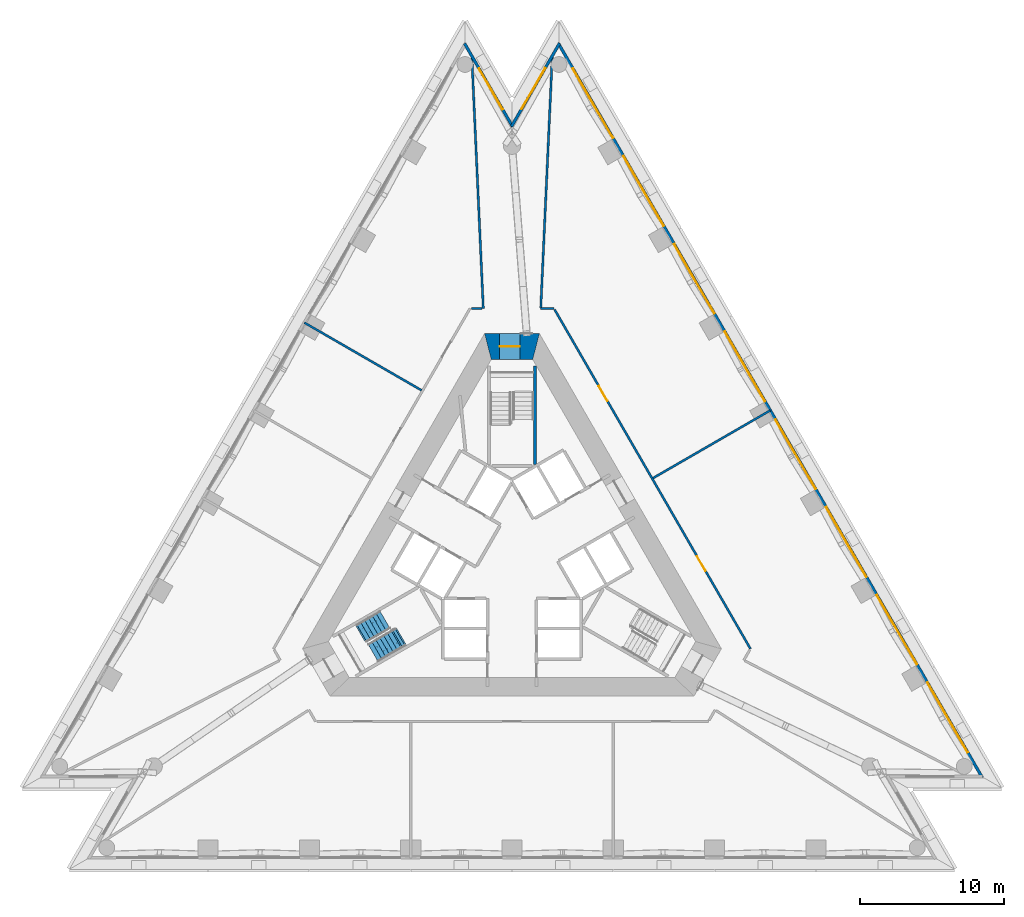
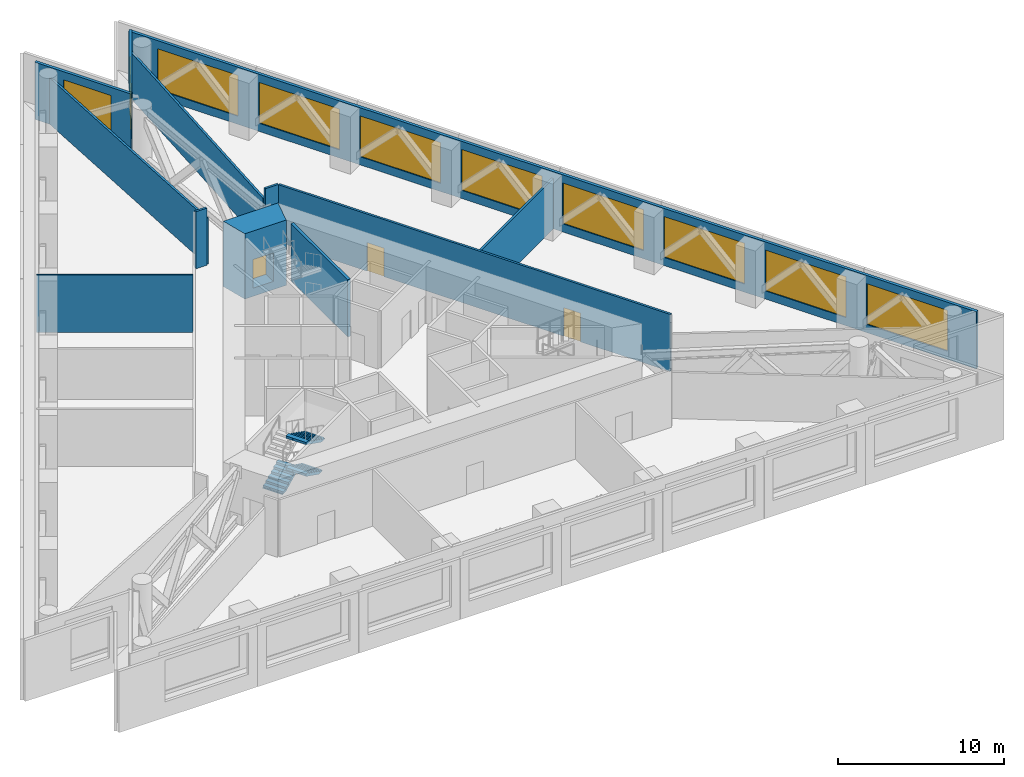
# One storey, part 9 of 12: 12 walls, 10 windows, 3 doors, 3 stair flights, 13 openings, 1 element without a shape of its own.
"""IFC4 building model written with IfcOpenShell, lengths in metres."""

from ifc_helpers import new_model, si_unit, direction, frame, frame_2d, origin, place, context, subcontext, project, spatial, polyline, rectangle, outline, extrude, material, layer, layer_set, layer_usage, type_object, element, fill, aggregate, save


model = new_model("IFC4")

# Units and contexts
model_context = context("Model", 3, precision=1e-05, world=origin(), true_north=direction((0.0, 1.0)))
body_context = subcontext(model_context, "Body", "Model", "MODEL_VIEW")
ifc_project = project(units=[si_unit("LENGTHUNIT", "METRE"), si_unit("AREAUNIT", "SQUARE_METRE"), si_unit("VOLUMEUNIT", "CUBIC_METRE"), si_unit("PLANEANGLEUNIT", "RADIAN"), si_unit("MASSUNIT", "GRAM", prefix="KILO")], contexts=[model_context])

# Site, building, storey
site_placement = place(None, origin())
site = spatial("IfcSite", under=ifc_project, at=site_placement, CompositionType="ELEMENT")
building_placement = place(site_placement, origin())
building = spatial("IfcBuilding", under=site, at=building_placement, Name="Triada Interchange Tower", CompositionType="ELEMENT")
storey_placement = place(building_placement, frame((0.0, 0.0, 99.800048828125)))
storey = spatial("IfcBuildingStorey", under=building, at=storey_placement, Name="L22", CompositionType="ELEMENT", Elevation=99.800048828125)

# Wall
ifc_material_1 = material(Name="Concrete C30/37", Category="concrete")
ifc_layer_1 = layer(ifc_material_1, 0.199951171875)
ifc_layer_set_1 = layer_set([ifc_layer_1], Name="CORE WALL 200 REI 240")
wall_type_1 = type_object("IfcWallType", Name="CORE WALL 200 REI 240", PredefinedType="SOLIDWALL", material=ifc_layer_set_1)
wall_1_placement = place(storey_placement, frame((1.60009765625, 6.614990234375, 0.0), z_axis=(0.0, 0.0, 1.0), x_axis=(0.0, 1.0, 0.0)))
element("IfcWall", 1, at=wall_1_placement, inside=storey, type_object=wall_type_1, Name="Wall L22 63", PredefinedType="SOLIDWALL", context=body_context, shape_type="SweptSolid", body=[
    extrude(rectangle(XDim=6.840087890625, YDim=0.199951171875, at=frame_2d((3.419921875, 0.0))), origin(), (0.0, 0.0, 1.0), 4.199951171875),
])

# Wall, opening, door
ifc_material_2 = material(Name="Concrete C70/85", Category="concrete")
ifc_layer_2 = layer(ifc_material_2, 1.800048828125)
ifc_layer_set_2 = layer_set([ifc_layer_2], Name="Core wall A 1800")
wall_type_2 = type_object("IfcWallType", Name="Core wall A 1800", PredefinedType="SHEAR", material=ifc_layer_set_2)
wall_2_placement = place(storey_placement, frame((1.674072265625, 14.800048828125, -0.60009765625), z_axis=(0.0, 0.0, 1.0), x_axis=(-1.0, 0.0, 0.0)))
wall_2 = element("IfcWall", 2, at=wall_2_placement, inside=storey, type_object=wall_type_2, Name="Core wall WA07 L22", PredefinedType="SHEAR", context=body_context, shape_type="SweptSolid", body=[
    extrude(outline(polyline([(-0.23095703125, -0.89990234375), (1.674072265625, -0.89990234375), (3.5791015625, -0.89990234375), (3.116943359375, 0.89990234375), (1.673828125, 0.89990234375), (0.23095703125, 0.89990234375), (-0.23095703125, -0.89990234375)])), origin(), (0.0, 0.0, 1.0), 4.800048828125),
])
opening_1_placement = place(wall_2_placement, frame((1.133056640625, 0.0, 0.60009765625)))
opening_1 = element("IfcOpeningElement", 3, at=opening_1_placement, cuts=wall_2, Name="Opening D22-21", PredefinedType="OPENING", context=body_context, shape_type="SweptSolid", body=[
    extrude(rectangle(XDim=1.39990234375, YDim=2.10009765625, at=frame_2d((0.699951171875, 1.050048828125))), frame((0.0, 0.909912109375, 0.0), z_axis=(0.0, -1.0, 0.0), x_axis=(1.0, 0.0, 0.0)), (0.0, 0.0, 1.0), 1.820068359375),
])
ifc_material_3 = material(Name="Steel S235 door leaf", Category="steel")
door_type_1 = type_object("IfcDoorType", Name="STAIR DOOR 1400 EI2 90-C5S200", OperationType="DOUBLE_DOOR_SINGLE_SWING", PredefinedType="DOOR", material=ifc_material_3)
door_1_placement = place(opening_1_placement, origin())
door_1 = element("IfcDoor", 4, at=door_1_placement, inside=storey, type_object=door_type_1, Name="Door D22-21 L22", OperationType="DOUBLE_DOOR_SINGLE_SWING", OverallHeight=2.10009765625, OverallWidth=1.39990234375, PredefinedType="DOOR", context=body_context, shape_type="SweptSolid", body=[
    extrude(rectangle(XDim=1.39990234375, YDim=2.10009765625, at=frame_2d((0.699951171875, 1.050048828125))), frame((0.0, 0.02490234375, 0.0), z_axis=(0.0, -1.0, 0.0), x_axis=(1.0, 0.0, 0.0)), (0.0, 0.0, 1.0), 0.050048828125),
])
fill(opening_1, door_1)

# Wall, openings, windows
ifc_material_4 = material(Name="Cement board")
ifc_layer_3 = layer(ifc_material_4, 0.02001953125, Name="Cement board cladding")
ifc_material_5 = material(Name="Sheathing board")
ifc_layer_4 = layer(ifc_material_5, 0.014892578125, Name="Sheathing board")
ifc_material_6 = material(Name="Mineral wool")
ifc_layer_5 = layer(ifc_material_6, 0.14990234375, Name="Mineral wool between steel studs")
ifc_material_7 = material(Name="Gypsum board")
ifc_layer_6 = layer(ifc_material_7, 0.014892578125, Name="Plasterboard lining")
ifc_layer_set_3 = layer_set([ifc_layer_3, ifc_layer_4, ifc_layer_5, ifc_layer_6], Name="External wall 200")
ifc_layer_usage = layer_usage(ifc_layer_set_3, "AXIS2", "POSITIVE", -0.10009765625)
wall_type_3 = type_object("IfcWallType", Name="External wall 200", PredefinedType="ELEMENTEDWALL", material=ifc_layer_set_3)
wall_3_placement = place(storey_placement, frame((32.68310546875, -15.155029296875, 0.0), z_axis=(0.0, 0.0, 1.0), x_axis=(-0.499995323711, 0.866028103624, 0.0)))
wall_3 = element("IfcWall", 5, at=wall_3_placement, inside=storey, type_object=wall_type_3, material=ifc_layer_usage, Name="External wall L22 NE", PredefinedType="ELEMENTEDWALL", context=body_context, shape_type="SweptSolid", body=[
    extrude(rectangle(XDim=58.91259765625, YDim=0.199951171875, at=frame_2d((29.456298828125, 0.0))), origin(), (0.0, 0.0, 1.0), 4.199951171875),
])
opening_2_placement = place(wall_3_placement, frame((2.02294921875, 0.0, 0.60009765625)))
opening_2 = element("IfcOpeningElement", 6, at=opening_2_placement, cuts=wall_3, Name="Opening LA21", PredefinedType="OPENING", context=body_context, shape_type="SweptSolid", body=[
    extrude(rectangle(XDim=5.60009765625, YDim=3.0, at=frame_2d((2.800048828125, 1.5))), frame((0.0, 0.10986328125, 0.0), z_axis=(0.0, -1.0, 0.0), x_axis=(1.0, 0.0, 0.0)), (0.0, 0.0, 1.0), 0.219970703125),
])
opening_3_placement = place(wall_3_placement, frame((9.06396484375, 0.0, 0.60009765625)))
opening_3 = element("IfcOpeningElement", 7, at=opening_3_placement, cuts=wall_3, Name="Opening LA22", PredefinedType="OPENING", context=body_context, shape_type="SweptSolid", body=[
    extrude(rectangle(XDim=5.60009765625, YDim=3.0, at=frame_2d((2.800048828125, 1.5))), frame((0.0, 0.10986328125, 0.0), z_axis=(0.0, -1.0, 0.0), x_axis=(1.0, 0.0, 0.0)), (0.0, 0.0, 1.0), 0.219970703125),
])
opening_4_placement = place(wall_3_placement, frame((16.10498046875, 0.0, 0.60009765625)))
opening_4 = element("IfcOpeningElement", 8, at=opening_4_placement, cuts=wall_3, Name="Opening LA23", PredefinedType="OPENING", context=body_context, shape_type="SweptSolid", body=[
    extrude(rectangle(XDim=5.60009765625, YDim=3.0, at=frame_2d((2.800048828125, 1.5))), frame((0.0, 0.10986328125, 0.0), z_axis=(0.0, -1.0, 0.0), x_axis=(1.0, 0.0, 0.0)), (0.0, 0.0, 1.0), 0.219970703125),
])
opening_5_placement = place(wall_3_placement, frame((23.14599609375, 0.0, 0.60009765625)))
opening_5 = element("IfcOpeningElement", 9, at=opening_5_placement, cuts=wall_3, Name="Opening LA24", PredefinedType="OPENING", context=body_context, shape_type="SweptSolid", body=[
    extrude(rectangle(XDim=5.60009765625, YDim=3.0, at=frame_2d((2.800048828125, 1.5))), frame((0.0, 0.10986328125, 0.0), z_axis=(0.0, -1.0, 0.0), x_axis=(1.0, 0.0, 0.0)), (0.0, 0.0, 1.0), 0.219970703125),
])
opening_6_placement = place(wall_3_placement, frame((30.18701171875, 0.0, 0.60009765625)))
opening_6 = element("IfcOpeningElement", 10, at=opening_6_placement, cuts=wall_3, Name="Opening LA25", PredefinedType="OPENING", context=body_context, shape_type="SweptSolid", body=[
    extrude(rectangle(XDim=5.60009765625, YDim=3.0, at=frame_2d((2.800048828125, 1.5))), frame((0.0, 0.10986328125, 0.0), z_axis=(0.0, -1.0, 0.0), x_axis=(1.0, 0.0, 0.0)), (0.0, 0.0, 1.0), 0.219970703125),
])
opening_7_placement = place(wall_3_placement, frame((37.22802734375, 0.0, 0.60009765625)))
opening_7 = element("IfcOpeningElement", 11, at=opening_7_placement, cuts=wall_3, Name="Opening LA26", PredefinedType="OPENING", context=body_context, shape_type="SweptSolid", body=[
    extrude(rectangle(XDim=5.60009765625, YDim=3.0, at=frame_2d((2.800048828125, 1.5))), frame((0.0, 0.10986328125, 0.0), z_axis=(0.0, -1.0, 0.0), x_axis=(1.0, 0.0, 0.0)), (0.0, 0.0, 1.0), 0.219970703125),
])
opening_8_placement = place(wall_3_placement, frame((44.26806640625, 0.0, 0.60009765625)))
opening_8 = element("IfcOpeningElement", 12, at=opening_8_placement, cuts=wall_3, Name="Opening LA27", PredefinedType="OPENING", context=body_context, shape_type="SweptSolid", body=[
    extrude(rectangle(XDim=5.60009765625, YDim=3.0, at=frame_2d((2.800048828125, 1.5))), frame((0.0, 0.10986328125, 0.0), z_axis=(0.0, -1.0, 0.0), x_axis=(1.0, 0.0, 0.0)), (0.0, 0.0, 1.0), 0.219970703125),
])
opening_9_placement = place(wall_3_placement, frame((51.30908203125, 0.0, 0.60009765625)))
opening_9 = element("IfcOpeningElement", 13, at=opening_9_placement, cuts=wall_3, Name="Opening LA28", PredefinedType="OPENING", context=body_context, shape_type="SweptSolid", body=[
    extrude(rectangle(XDim=5.60009765625, YDim=3.0, at=frame_2d((2.800048828125, 1.5))), frame((0.0, 0.10986328125, 0.0), z_axis=(0.0, -1.0, 0.0), x_axis=(1.0, 0.0, 0.0)), (0.0, 0.0, 1.0), 0.219970703125),
])
ifc_material_8 = material(Name="Aluminium louvre", Category="aluminium")
window_type_1 = type_object("IfcWindowType", Name="Plant louvre A face", PartitioningType="SINGLE_PANEL", PredefinedType="WINDOW", material=ifc_material_8)
window_1_placement = place(opening_2_placement, origin())
window_1 = element("IfcWindow", 14, at=window_1_placement, inside=storey, type_object=window_type_1, Name="Louvre L22 NE 1", OverallHeight=3.0, OverallWidth=5.60009765625, PartitioningType="SINGLE_PANEL", PredefinedType="WINDOW", context=body_context, shape_type="SweptSolid", body=[
    extrude(rectangle(XDim=5.60009765625, YDim=3.0, at=frame_2d((2.800048828125, 1.5))), frame((0.0, 0.030029296875, 0.0), z_axis=(0.0, -1.0, 0.0), x_axis=(1.0, 0.0, 0.0)), (0.0, 0.0, 1.0), 0.06005859375),
])
fill(opening_2, window_1)
window_2_placement = place(opening_3_placement, origin())
window_2 = element("IfcWindow", 15, at=window_2_placement, inside=storey, type_object=window_type_1, Name="Louvre L22 NE 2", OverallHeight=3.0, OverallWidth=5.60009765625, PartitioningType="SINGLE_PANEL", PredefinedType="WINDOW", context=body_context, shape_type="SweptSolid", body=[
    extrude(rectangle(XDim=5.60009765625, YDim=3.0, at=frame_2d((2.800048828125, 1.5))), frame((0.0, 0.030029296875, 0.0), z_axis=(0.0, -1.0, 0.0), x_axis=(1.0, 0.0, 0.0)), (0.0, 0.0, 1.0), 0.06005859375),
])
fill(opening_3, window_2)
window_3_placement = place(opening_4_placement, origin())
window_3 = element("IfcWindow", 16, at=window_3_placement, inside=storey, type_object=window_type_1, Name="Louvre L22 NE 3", OverallHeight=3.0, OverallWidth=5.60009765625, PartitioningType="SINGLE_PANEL", PredefinedType="WINDOW", context=body_context, shape_type="SweptSolid", body=[
    extrude(rectangle(XDim=5.60009765625, YDim=3.0, at=frame_2d((2.800048828125, 1.5))), frame((0.0, 0.030029296875, 0.0), z_axis=(0.0, -1.0, 0.0), x_axis=(1.0, 0.0, 0.0)), (0.0, 0.0, 1.0), 0.06005859375),
])
fill(opening_4, window_3)
window_4_placement = place(opening_5_placement, origin())
window_4 = element("IfcWindow", 17, at=window_4_placement, inside=storey, type_object=window_type_1, Name="Louvre L22 NE 4", OverallHeight=3.0, OverallWidth=5.60009765625, PartitioningType="SINGLE_PANEL", PredefinedType="WINDOW", context=body_context, shape_type="SweptSolid", body=[
    extrude(rectangle(XDim=5.60009765625, YDim=3.0, at=frame_2d((2.800048828125, 1.5))), frame((0.0, 0.030029296875, 0.0), z_axis=(0.0, -1.0, 0.0), x_axis=(1.0, 0.0, 0.0)), (0.0, 0.0, 1.0), 0.06005859375),
])
fill(opening_5, window_4)
window_5_placement = place(opening_6_placement, origin())
window_5 = element("IfcWindow", 18, at=window_5_placement, inside=storey, type_object=window_type_1, Name="Louvre L22 NE 5", OverallHeight=3.0, OverallWidth=5.60009765625, PartitioningType="SINGLE_PANEL", PredefinedType="WINDOW", context=body_context, shape_type="SweptSolid", body=[
    extrude(rectangle(XDim=5.60009765625, YDim=3.0, at=frame_2d((2.800048828125, 1.5))), frame((0.0, 0.030029296875, 0.0), z_axis=(0.0, -1.0, 0.0), x_axis=(1.0, 0.0, 0.0)), (0.0, 0.0, 1.0), 0.06005859375),
])
fill(opening_6, window_5)
window_6_placement = place(opening_7_placement, origin())
window_6 = element("IfcWindow", 19, at=window_6_placement, inside=storey, type_object=window_type_1, Name="Louvre L22 NE 6", OverallHeight=3.0, OverallWidth=5.60009765625, PartitioningType="SINGLE_PANEL", PredefinedType="WINDOW", context=body_context, shape_type="SweptSolid", body=[
    extrude(rectangle(XDim=5.60009765625, YDim=3.0, at=frame_2d((2.800048828125, 1.5))), frame((0.0, 0.030029296875, 0.0), z_axis=(0.0, -1.0, 0.0), x_axis=(1.0, 0.0, 0.0)), (0.0, 0.0, 1.0), 0.06005859375),
])
fill(opening_7, window_6)
window_7_placement = place(opening_8_placement, origin())
window_7 = element("IfcWindow", 20, at=window_7_placement, inside=storey, type_object=window_type_1, Name="Louvre L22 NE 7", OverallHeight=3.0, OverallWidth=5.60009765625, PartitioningType="SINGLE_PANEL", PredefinedType="WINDOW", context=body_context, shape_type="SweptSolid", body=[
    extrude(rectangle(XDim=5.60009765625, YDim=3.0, at=frame_2d((2.800048828125, 1.5))), frame((0.0, 0.030029296875, 0.0), z_axis=(0.0, -1.0, 0.0), x_axis=(1.0, 0.0, 0.0)), (0.0, 0.0, 1.0), 0.06005859375),
])
fill(opening_8, window_7)
window_8_placement = place(opening_9_placement, origin())
window_8 = element("IfcWindow", 21, at=window_8_placement, inside=storey, type_object=window_type_1, Name="Louvre L22 NE 8", OverallHeight=3.0, OverallWidth=5.60009765625, PartitioningType="SINGLE_PANEL", PredefinedType="WINDOW", context=body_context, shape_type="SweptSolid", body=[
    extrude(rectangle(XDim=5.60009765625, YDim=3.0, at=frame_2d((2.800048828125, 1.5))), frame((0.0, 0.030029296875, 0.0), z_axis=(0.0, -1.0, 0.0), x_axis=(1.0, 0.0, 0.0)), (0.0, 0.0, 1.0), 0.06005859375),
])
fill(opening_9, window_8)

# Wall, opening, window
wall_4_placement = place(storey_placement, frame((3.306884765625, 35.882080078125, 0.0), z_axis=(0.0, 0.0, 1.0), x_axis=(-0.499878413085, -0.866095590643, 0.0)))
wall_4 = element("IfcWall", 22, at=wall_4_placement, inside=storey, type_object=wall_type_3, material=ifc_layer_usage, Name="External wall L22 N-1", PredefinedType="ELEMENTEDWALL", context=body_context, shape_type="SweptSolid", body=[
    extrude(rectangle(XDim=6.685302734375, YDim=0.199951171875, at=frame_2d((3.3427734375, 0.0))), origin(), (0.0, 0.0, 1.0), 4.199951171875),
])
opening_10_placement = place(wall_4_placement, frame((1.989990234375, 0.0, 0.60009765625)))
opening_10 = element("IfcOpeningElement", 23, at=opening_10_placement, cuts=wall_4, Name="Opening LA29", PredefinedType="OPENING", context=body_context, shape_type="SweptSolid", body=[
    extrude(rectangle(XDim=3.300048828125, YDim=3.0, at=frame_2d((1.64990234375, 1.5))), frame((0.0, 0.10986328125, 0.0), z_axis=(0.0, -1.0, 0.0), x_axis=(1.0, 0.0, 0.0)), (0.0, 0.0, 1.0), 0.219970703125),
])
window_type_2 = type_object("IfcWindowType", Name="Plant louvre A pocket", PartitioningType="SINGLE_PANEL", PredefinedType="WINDOW", material=ifc_material_8)
window_9_placement = place(opening_10_placement, origin())
window_9 = element("IfcWindow", 24, at=window_9_placement, inside=storey, type_object=window_type_2, Name="Louvre L22 N-1 1", OverallHeight=3.0, OverallWidth=3.300048828125, PartitioningType="SINGLE_PANEL", PredefinedType="WINDOW", context=body_context, shape_type="SweptSolid", body=[
    extrude(rectangle(XDim=3.300048828125, YDim=3.0, at=frame_2d((1.64990234375, 1.5))), frame((0.0, 0.030029296875, 0.0), z_axis=(0.0, -1.0, 0.0), x_axis=(1.0, 0.0, 0.0)), (0.0, 0.0, 1.0), 0.06005859375),
])
fill(opening_10, window_9)

wall_5_placement = place(storey_placement, frame((0.044921875, 30.074951171875, 0.0), z_axis=(0.0, 0.0, 1.0), x_axis=(-0.499905806372, 0.866079779671, 0.0)))
wall_5 = element("IfcWall", 25, at=wall_5_placement, inside=storey, type_object=wall_type_3, material=ifc_layer_usage, Name="External wall L22 N-2", PredefinedType="ELEMENTEDWALL", context=body_context, shape_type="SweptSolid", body=[
    extrude(rectangle(XDim=6.685302734375, YDim=0.199951171875, at=frame_2d((3.3427734375, 0.0))), origin(), (0.0, 0.0, 1.0), 4.199951171875),
])
opening_11_placement = place(wall_5_placement, frame((1.389892578125, 0.0, 0.60009765625)))
opening_11 = element("IfcOpeningElement", 26, at=opening_11_placement, cuts=wall_5, Name="Opening LA30", PredefinedType="OPENING", context=body_context, shape_type="SweptSolid", body=[
    extrude(rectangle(XDim=3.300048828125, YDim=3.0, at=frame_2d((1.64990234375, 1.5))), frame((0.0, 0.10986328125, 0.0), z_axis=(0.0, -1.0, 0.0), x_axis=(1.0, 0.0, 0.0)), (0.0, 0.0, 1.0), 0.219970703125),
])
window_10_placement = place(opening_11_placement, origin())
window_10 = element("IfcWindow", 27, at=window_10_placement, inside=storey, type_object=window_type_2, Name="Louvre L22 N-2 1", OverallHeight=3.0, OverallWidth=3.300048828125, PartitioningType="SINGLE_PANEL", PredefinedType="WINDOW", context=body_context, shape_type="SweptSolid", body=[
    extrude(rectangle(XDim=3.300048828125, YDim=3.0, at=frame_2d((1.64990234375, 1.5))), frame((0.0, 0.030029296875, 0.0), z_axis=(0.0, -1.0, 0.0), x_axis=(1.0, 0.0, 0.0)), (0.0, 0.0, 1.0), 0.06005859375),
])
fill(opening_11, window_10)

# Walls
ifc_material_9 = material(Name="Gypsum board partition")
ifc_layer_7 = layer(ifc_material_9, 0.14990234375)
ifc_layer_set_4 = layer_set([ifc_layer_7], Name="PARTITION 150 EI 180")
wall_type_4 = type_object("IfcWallType", Name="PARTITION 150 EI 180", PredefinedType="PARTITIONING", material=ifc_layer_set_4)
wall_6_placement = place(storey_placement, frame((-14.428955078125, 16.4609375, 0.0), z_axis=(0.0, 0.0, 1.0), x_axis=(0.866014767649, -0.500018421874, 0.0)))
element("IfcWall", 28, at=wall_6_placement, inside=storey, type_object=wall_type_4, Name="Wall L22 9", PredefinedType="PARTITIONING", context=body_context, shape_type="SweptSolid", body=[
    extrude(rectangle(XDim=9.401611328125, YDim=0.14990234375, at=frame_2d((4.70068359375, 0.0))), origin(), (0.0, 0.0, 1.0), 4.199951171875),
])
wall_7_placement = place(storey_placement, frame((-2.79296875, 34.991943359375, 0.0), z_axis=(0.0, 0.0, 1.0), x_axis=(0.045435409817, -0.998967278511, 0.0)))
element("IfcWall", 29, at=wall_7_placement, inside=storey, type_object=wall_type_4, Name="Wall L22 11", PredefinedType="PARTITIONING", context=body_context, shape_type="SweptSolid", body=[
    extrude(rectangle(XDim=17.56005859375, YDim=0.14990234375, at=frame_2d((8.780029296875, 0.0))), origin(), (0.0, 0.0, 1.0), 3.39990234375),
])
wall_8_placement = place(storey_placement, frame((-2.8291015625, 17.449951171875, 0.0), z_axis=(0.0, 0.0, 1.0), x_axis=(1.0, 0.0, 0.0)))
element("IfcWall", 30, at=wall_8_placement, inside=storey, type_object=wall_type_4, Name="Wall L22 12", PredefinedType="PARTITIONING", context=body_context, shape_type="SweptSolid", body=[
    extrude(rectangle(XDim=0.759033203125, YDim=0.14990234375, at=frame_2d((0.37939453125, 0.0))), origin(), (0.0, 0.0, 1.0), 4.199951171875),
])
wall_9_placement = place(storey_placement, frame((1.9970703125, 17.449951171875, 0.0), z_axis=(0.0, 0.0, 1.0), x_axis=(1.0, 0.0, 0.0)))
element("IfcWall", 31, at=wall_9_placement, inside=storey, type_object=wall_type_4, Name="Wall L22 13", PredefinedType="PARTITIONING", context=body_context, shape_type="SweptSolid", body=[
    extrude(rectangle(XDim=0.9189453125, YDim=0.14990234375, at=frame_2d((0.45947265625, 0.0))), origin(), (0.0, 0.0, 1.0), 4.199951171875),
])

# Wall, openings, doors
wall_10_placement = place(storey_placement, frame((2.958984375, 17.375, 0.0), z_axis=(0.0, 0.0, 1.0), x_axis=(0.500002192499, -0.866024137941, 0.0)))
wall_10 = element("IfcWall", 32, at=wall_10_placement, inside=storey, type_object=wall_type_4, Name="Wall L22 14", PredefinedType="PARTITIONING", context=body_context, shape_type="SweptSolid", body=[
    extrude(rectangle(XDim=27.22216796875, YDim=0.14990234375, at=frame_2d((13.611083984375, 0.0))), origin(), (0.0, 0.0, 1.0), 4.199951171875),
])
opening_12_placement = place(wall_10_placement, frame((19.794921875, 0.0, 0.0)))
opening_12 = element("IfcOpeningElement", 33, at=opening_12_placement, cuts=wall_10, Name="Opening D22-11", PredefinedType="OPENING", context=body_context, shape_type="SweptSolid", body=[
    extrude(rectangle(XDim=1.199951171875, YDim=2.10009765625, at=frame_2d((0.60009765625, 1.050048828125))), frame((0.0, 0.0849609375, 0.0), z_axis=(0.0, -1.0, 0.0), x_axis=(1.0, 0.0, 0.0)), (0.0, 0.0, 1.0), 0.169921875),
])
opening_13_placement = place(wall_10_placement, frame((6.14111328125, 0.0, 0.0)))
opening_13 = element("IfcOpeningElement", 34, at=opening_13_placement, cuts=wall_10, Name="Opening D22-12", PredefinedType="OPENING", context=body_context, shape_type="SweptSolid", body=[
    extrude(rectangle(XDim=1.199951171875, YDim=2.10009765625, at=frame_2d((0.60009765625, 1.050048828125))), frame((0.0, 0.0849609375, 0.0), z_axis=(0.0, -1.0, 0.0), x_axis=(1.0, 0.0, 0.0)), (0.0, 0.0, 1.0), 0.169921875),
])
door_type_2 = type_object("IfcDoorType", Name="DOUBLE ROOM DOOR 1200 EI2 45-C5S200", OperationType="DOUBLE_DOOR_SINGLE_SWING", PredefinedType="DOOR", material=ifc_material_3)
door_2_placement = place(opening_12_placement, origin())
door_2 = element("IfcDoor", 35, at=door_2_placement, inside=storey, type_object=door_type_2, Name="Door D22-11 L22", OperationType="DOUBLE_DOOR_SINGLE_SWING", OverallHeight=2.10009765625, OverallWidth=1.199951171875, PredefinedType="DOOR", context=body_context, shape_type="SweptSolid", body=[
    extrude(rectangle(XDim=1.199951171875, YDim=2.10009765625, at=frame_2d((0.60009765625, 1.050048828125))), frame((0.0, 0.02490234375, 0.0), z_axis=(0.0, -1.0, 0.0), x_axis=(1.0, 0.0, 0.0)), (0.0, 0.0, 1.0), 0.050048828125),
])
fill(opening_12, door_2)
door_3_placement = place(opening_13_placement, origin())
door_3 = element("IfcDoor", 36, at=door_3_placement, inside=storey, type_object=door_type_2, Name="Door D22-12 L22", OperationType="DOUBLE_DOOR_SINGLE_SWING", OverallHeight=2.10009765625, OverallWidth=1.199951171875, PredefinedType="DOOR", context=body_context, shape_type="SweptSolid", body=[
    extrude(rectangle(XDim=1.199951171875, YDim=2.10009765625, at=frame_2d((0.60009765625, 1.050048828125))), frame((0.0, 0.02490234375, 0.0), z_axis=(0.0, -1.0, 0.0), x_axis=(1.0, 0.0, 0.0)), (0.0, 0.0, 1.0), 0.050048828125),
])
fill(opening_13, door_3)

# Walls
wall_11_placement = place(storey_placement, frame((2.0009765625, 17.52490234375, 0.0), z_axis=(0.0, 0.0, 1.0), x_axis=(0.045670970039, 0.99895653684, 0.0)))
element("IfcWall", 37, at=wall_11_placement, inside=storey, type_object=wall_type_4, Name="Wall L22 15", PredefinedType="PARTITIONING", context=body_context, shape_type="SweptSolid", body=[
    extrude(rectangle(XDim=17.496337890625, YDim=0.14990234375, at=frame_2d((8.748046875, 0.0))), origin(), (0.0, 0.0, 1.0), 3.39990234375),
])
wall_12_placement = place(storey_placement, frame((9.80810546875, 5.662109375, 0.0), z_axis=(0.0, 0.0, 1.0), x_axis=(0.866014767649, 0.500018421874, 0.0)))
element("IfcWall", 38, at=wall_12_placement, inside=storey, type_object=wall_type_4, Name="Wall L22 20", PredefinedType="PARTITIONING", context=body_context, shape_type="SweptSolid", body=[
    extrude(rectangle(XDim=9.401611328125, YDim=0.14990234375, at=frame_2d((4.70068359375, 0.0))), origin(), (0.0, 0.0, 1.0), 3.699951171875),
])

# Stair, stair flights
ifc_material_10 = material(Name="Concrete C35/45", Category="concrete")
stair_type = type_object("IfcStairType", Name="HALF TURN STAIR 1400", PredefinedType="HALF_TURN_STAIR", material=ifc_material_10)
stair_placement = place(storey_placement, origin())
stair = element("IfcStair", 39, at=stair_placement, inside=storey, type_object=stair_type, Name="Exit stair S22-2", PredefinedType="HALF_TURN_STAIR")
stair_flight_type = type_object("IfcStairFlightType", Name="STRAIGHT STAIR FLIGHT 1400", PredefinedType="STRAIGHT", material=ifc_material_10)
stair_flight_1_placement = place(storey_placement, frame((-10.446044921875, -5.10693359375, 0.0), z_axis=(0.0, 0.0, 1.0), x_axis=(0.866025403784, 0.5, 0.0)))
stair_flight_1 = element("IfcStairFlight", 40, at=stair_flight_1_placement, type_object=stair_flight_type, Name="S22-2 flight 1", NumberOfRisers=7, NumberOfTreads=6, PredefinedType="STRAIGHT", RiserHeight=0.15517, TreadLength=0.31, context=body_context, shape_type="SweptSolid", body=[
    extrude(outline(polyline([(-0.10009765625, 0.0), (-0.10009765625, 0.02001953125), (0.0, 0.02001953125), (0.0, 0.1552734375), (0.31005859375, 0.1552734375), (0.31005859375, 0.310302734375), (0.6201171875, 0.310302734375), (0.6201171875, 0.465576171875), (0.929931640625, 0.465576171875), (0.929931640625, 0.62060546875), (1.239990234375, 0.62060546875), (1.239990234375, 0.77587890625), (1.550048828125, 0.77587890625), (1.550048828125, 0.930908203125), (1.860107421875, 0.930908203125), (1.864013671875, 0.930908203125), (1.864013671875, 1.086181640625), (1.864013671875, 0.763427734375), (0.3349609375, 0.0), (-0.10009765625, 0.0)])), frame((0.0, 0.699951171875, 0.0), z_axis=(0.0, -1.0, 0.0), x_axis=(1.0, 0.0, 0.0)), (0.0, 0.0, 1.0), 0.46533203125),
    extrude(outline(polyline([(-0.10009765625, 0.0), (-0.10009765625, 0.02001953125), (0.0, 0.02001953125), (0.0, 0.1552734375), (0.31005859375, 0.1552734375), (0.31005859375, 0.310302734375), (0.6201171875, 0.310302734375), (0.6201171875, 0.465576171875), (0.929931640625, 0.465576171875), (0.929931640625, 0.62060546875), (1.239990234375, 0.62060546875), (1.239990234375, 0.77587890625), (1.550048828125, 0.77587890625), (1.550048828125, 0.930908203125), (1.860107421875, 0.930908203125), (1.864013671875, 0.930908203125), (1.864013671875, 1.086181640625), (1.864013671875, 0.763427734375), (0.3349609375, 0.0), (-0.10009765625, 0.0)])), frame((0.0, 0.232666015625, 0.0), z_axis=(0.0, -1.0, 0.0), x_axis=(1.0, 0.0, 0.0)), (0.0, 0.0, 1.0), 0.46533203125),
    extrude(outline(polyline([(-0.10009765625, 0.0), (-0.10009765625, 0.02001953125), (0.0, 0.02001953125), (0.0, 0.1552734375), (0.31005859375, 0.1552734375), (0.31005859375, 0.310302734375), (0.6201171875, 0.310302734375), (0.6201171875, 0.465576171875), (0.929931640625, 0.465576171875), (0.929931640625, 0.62060546875), (1.239990234375, 0.62060546875), (1.239990234375, 0.77587890625), (1.550048828125, 0.77587890625), (1.550048828125, 0.930908203125), (1.860107421875, 0.930908203125), (1.864013671875, 0.930908203125), (1.864013671875, 1.086181640625), (1.864013671875, 0.763427734375), (0.3349609375, 0.0), (-0.10009765625, 0.0)])), frame((0.0, -0.234619140625, 0.0), z_axis=(0.0, -1.0, 0.0), x_axis=(1.0, 0.0, 0.0)), (0.0, 0.0, 1.0), 0.46533203125),
])
stair_flight_2_placement = place(storey_placement, frame((-8.034912109375, -5.56298828125, 1.086181640625), z_axis=(0.0, 0.0, 1.0), x_axis=(-0.866025403784, -0.5, 0.0)))
stair_flight_2 = element("IfcStairFlight", 41, at=stair_flight_2_placement, type_object=stair_flight_type, Name="S22-2 flight 2", NumberOfRisers=7, NumberOfTreads=6, PredefinedType="STRAIGHT", RiserHeight=0.15517, TreadLength=0.31, context=body_context, shape_type="SweptSolid", body=[
    extrude(outline(polyline([(-0.10009765625, 0.0), (-0.10009765625, 0.02001953125), (0.0, 0.02001953125), (0.0, 0.1552734375), (0.31005859375, 0.1552734375), (0.31005859375, 0.310302734375), (0.6201171875, 0.310302734375), (0.6201171875, 0.465576171875), (0.929931640625, 0.465576171875), (0.929931640625, 0.62060546875), (1.239990234375, 0.62060546875), (1.239990234375, 0.77587890625), (1.550048828125, 0.77587890625), (1.550048828125, 0.930908203125), (1.860107421875, 0.930908203125), (1.864013671875, 0.930908203125), (1.864013671875, 1.086181640625), (1.864013671875, 0.763427734375), (0.3349609375, 0.0), (-0.10009765625, 0.0)])), frame((0.0, 0.699951171875, 0.0), z_axis=(0.0, -1.0, 0.0), x_axis=(1.0, 0.0, 0.0)), (0.0, 0.0, 1.0), 0.46533203125),
    extrude(outline(polyline([(-0.10009765625, 0.0), (-0.10009765625, 0.02001953125), (0.0, 0.02001953125), (0.0, 0.1552734375), (0.31005859375, 0.1552734375), (0.31005859375, 0.310302734375), (0.6201171875, 0.310302734375), (0.6201171875, 0.465576171875), (0.929931640625, 0.465576171875), (0.929931640625, 0.62060546875), (1.239990234375, 0.62060546875), (1.239990234375, 0.77587890625), (1.550048828125, 0.77587890625), (1.550048828125, 0.930908203125), (1.860107421875, 0.930908203125), (1.864013671875, 0.930908203125), (1.864013671875, 1.086181640625), (1.864013671875, 0.763427734375), (0.3349609375, 0.0), (-0.10009765625, 0.0)])), frame((0.0, 0.232666015625, 0.0), z_axis=(0.0, -1.0, 0.0), x_axis=(1.0, 0.0, 0.0)), (0.0, 0.0, 1.0), 0.46533203125),
    extrude(outline(polyline([(-0.10009765625, 0.0), (-0.10009765625, 0.02001953125), (0.0, 0.02001953125), (0.0, 0.1552734375), (0.31005859375, 0.1552734375), (0.31005859375, 0.310302734375), (0.6201171875, 0.310302734375), (0.6201171875, 0.465576171875), (0.929931640625, 0.465576171875), (0.929931640625, 0.62060546875), (1.239990234375, 0.62060546875), (1.239990234375, 0.77587890625), (1.550048828125, 0.77587890625), (1.550048828125, 0.930908203125), (1.860107421875, 0.930908203125), (1.864013671875, 0.930908203125), (1.864013671875, 1.086181640625), (1.864013671875, 0.763427734375), (0.3349609375, 0.0), (-0.10009765625, 0.0)])), frame((0.0, -0.234619140625, 0.0), z_axis=(0.0, -1.0, 0.0), x_axis=(1.0, 0.0, 0.0)), (0.0, 0.0, 1.0), 0.46533203125),
])
stair_flight_3_placement = place(storey_placement, frame((-7.76708984375, -5.407958984375, 3.258544921875), z_axis=(0.0, 0.0, 1.0), x_axis=(-0.866025403784, -0.5, 0.0)))
stair_flight_3 = element("IfcStairFlight", 42, at=stair_flight_3_placement, type_object=stair_flight_type, Name="S22-2 flight 4", NumberOfRisers=8, NumberOfTreads=7, PredefinedType="STRAIGHT", RiserHeight=0.15517, TreadLength=0.31, context=body_context, shape_type="SweptSolid", body=[
    extrude(outline(polyline([(-0.10009765625, 0.0), (-0.10009765625, 0.02001953125), (0.0, 0.02001953125), (0.0, 0.1552734375), (0.31005859375, 0.1552734375), (0.31005859375, 0.310302734375), (0.6201171875, 0.310302734375), (0.6201171875, 0.465576171875), (0.929931640625, 0.465576171875), (0.929931640625, 0.62060546875), (1.239990234375, 0.62060546875), (1.239990234375, 0.77587890625), (1.550048828125, 0.77587890625), (1.550048828125, 0.930908203125), (1.860107421875, 0.930908203125), (1.860107421875, 1.086181640625), (2.169921875, 1.086181640625), (2.174072265625, 1.086181640625), (2.174072265625, 1.241455078125), (2.174072265625, 0.91845703125), (0.3349609375, 0.0), (-0.10009765625, 0.0)])), frame((0.0, 0.699951171875, 0.0), z_axis=(0.0, -1.0, 0.0), x_axis=(1.0, 0.0, 0.0)), (0.0, 0.0, 1.0), 0.46533203125),
    extrude(outline(polyline([(-0.10009765625, 0.0), (-0.10009765625, 0.02001953125), (0.0, 0.02001953125), (0.0, 0.1552734375), (0.31005859375, 0.1552734375), (0.31005859375, 0.310302734375), (0.6201171875, 0.310302734375), (0.6201171875, 0.465576171875), (0.929931640625, 0.465576171875), (0.929931640625, 0.62060546875), (1.239990234375, 0.62060546875), (1.239990234375, 0.77587890625), (1.550048828125, 0.77587890625), (1.550048828125, 0.930908203125), (1.860107421875, 0.930908203125), (1.860107421875, 1.086181640625), (2.169921875, 1.086181640625), (2.174072265625, 1.086181640625), (2.174072265625, 1.241455078125), (2.174072265625, 0.91845703125), (0.3349609375, 0.0), (-0.10009765625, 0.0)])), frame((0.0, 0.232666015625, 0.0), z_axis=(0.0, -1.0, 0.0), x_axis=(1.0, 0.0, 0.0)), (0.0, 0.0, 1.0), 0.46533203125),
    extrude(outline(polyline([(-0.10009765625, 0.0), (-0.10009765625, 0.02001953125), (0.0, 0.02001953125), (0.0, 0.1552734375), (0.31005859375, 0.1552734375), (0.31005859375, 0.310302734375), (0.6201171875, 0.310302734375), (0.6201171875, 0.465576171875), (0.929931640625, 0.465576171875), (0.929931640625, 0.62060546875), (1.239990234375, 0.62060546875), (1.239990234375, 0.77587890625), (1.550048828125, 0.77587890625), (1.550048828125, 0.930908203125), (1.860107421875, 0.930908203125), (1.860107421875, 1.086181640625), (2.169921875, 1.086181640625), (2.174072265625, 1.086181640625), (2.174072265625, 1.241455078125), (2.174072265625, 0.91845703125), (0.3349609375, 0.0), (-0.10009765625, 0.0)])), frame((0.0, -0.234619140625, 0.0), z_axis=(0.0, -1.0, 0.0), x_axis=(1.0, 0.0, 0.0)), (0.0, 0.0, 1.0), 0.46533203125),
])
aggregate(stair, [stair_flight_1, stair_flight_2, stair_flight_3])

save(model, "model.ifc")
